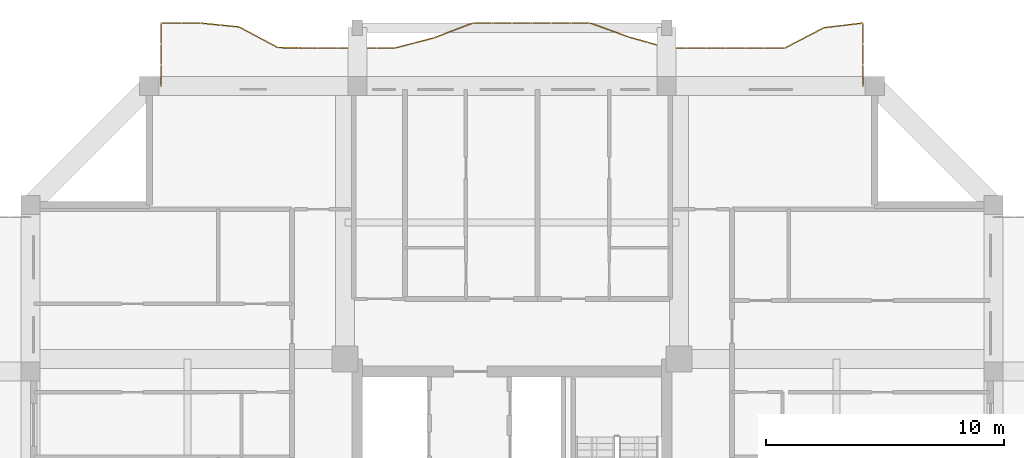
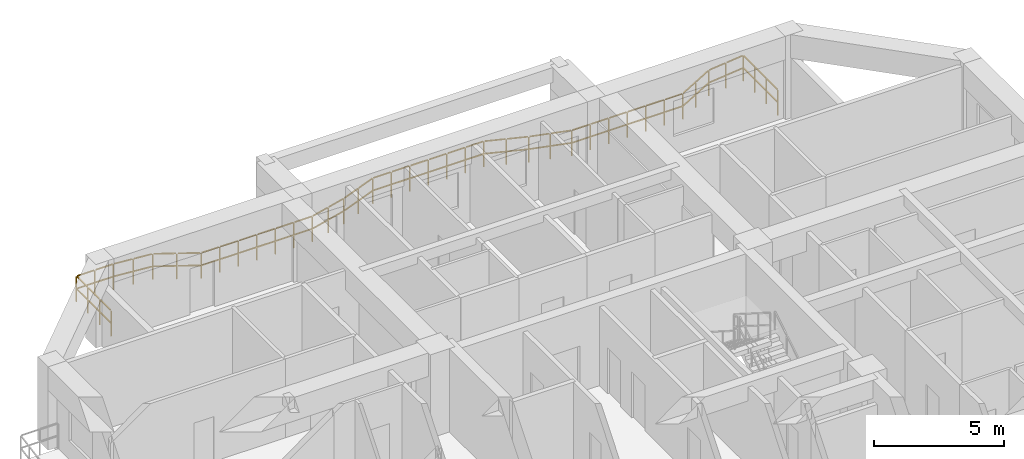
# One storey, part 13 of 13: 1 railing.
"""IFC4 building model written with IfcOpenShell, lengths in metres."""

import ifcopenshell
import ifcopenshell.guid

model = None  # the IFC model being written
_history = None  # IfcOwnerHistory: only IFC2X3 demands one
_inside = {}  # id of a spatial element -> (the spatial element, [elements in it])
_under = {}  # id of a project, library or spatial element -> (it, [spatial elements below it])
_declared = {}  # id of a project -> (the project, [libraries it declares])
_typed = {}  # id of a type object -> (the type object, [elements of that type])
_made_of = {}  # id of a material, layer set ... -> (it, [elements and type objects made of it])


def new_model(schema):
    """Start an empty IFC model of exactly this schema.

    Asked for "IFC4X3", IfcOpenShell would pick the latest addendum, in which some entities
    have other attributes; the version numbers below select the first issue.
    IFC2X3 requires an IfcOwnerHistory on every rooted entity: one is made here for all.
    """
    global model, _history
    if schema == "IFC4X3":
        model = ifcopenshell.file(schema_version=(4, 3, 0, 0))
    else:
        model = ifcopenshell.file(schema=schema)
    _inside.clear()
    _under.clear()
    _declared.clear()
    _typed.clear()
    _made_of.clear()
    _history = None
    if model.schema == "IFC2X3":
        org = make("IfcOrganization", Name="unknown")
        user = make(
            "IfcPersonAndOrganization",
            ThePerson=make("IfcPerson", FamilyName="unknown"),
            TheOrganization=org,
        )
        app = make(
            "IfcApplication",
            ApplicationDeveloper=org,
            Version="unknown",
            ApplicationFullName="unknown",
            ApplicationIdentifier="unknown",
        )
        _history = make(
            "IfcOwnerHistory",
            OwningUser=user,
            OwningApplication=app,
            ChangeAction="ADDED",
            CreationDate=0,
        )
    return model


def make(cls, **values):
    """One entity of the class cls with the attributes given. An attribute that is None is left unset."""
    return model.create_entity(
        cls, **{name: value for name, value in values.items() if value is not None}
    )


def rooted(cls, **values):
    """An entity with a GlobalId (a new one), such as an element, a storey or a relation."""
    return make(cls, GlobalId=ifcopenshell.guid.new(), OwnerHistory=_history, **values)


def si_unit(unit_type, name, prefix=None):
    """IfcSIUnit, for example si_unit("LENGTHUNIT", "METRE", prefix="MILLI")."""
    return make("IfcSIUnit", UnitType=unit_type, Prefix=prefix, Name=name)


def assignment(units):
    """IfcUnitAssignment: the units of a project."""
    return None if units is None else make("IfcUnitAssignment", Units=units)


def point(xyz):
    """IfcCartesianPoint."""
    return None if xyz is None else make("IfcCartesianPoint", Coordinates=xyz)


def direction(xyz):
    """IfcDirection."""
    return None if xyz is None else make("IfcDirection", DirectionRatios=xyz)


def frame(location, z_axis=None, x_axis=None):
    """IfcAxis2Placement3D, a coordinate frame: its origin and axes. An axis left out is left unset."""
    return make(
        "IfcAxis2Placement3D",
        Location=point(location),
        Axis=direction(z_axis),
        RefDirection=direction(x_axis),
    )


def frame_2d(location, x_axis=None):
    """IfcAxis2Placement2D, a coordinate frame in the plane: its origin and x axis."""
    return make(
        "IfcAxis2Placement2D", Location=point(location), RefDirection=direction(x_axis)
    )


def origin():
    """The frame at (0, 0, 0) with its axes left unset."""
    return frame((0.0, 0.0, 0.0))


def origin_2d():
    """The frame at (0, 0) in the plane with its x axis left unset."""
    return frame_2d((0.0, 0.0))


def place(relative_to, where):
    """IfcLocalPlacement: puts the frame where relative to a parent placement (None: the world)."""
    return make(
        "IfcLocalPlacement", PlacementRelTo=relative_to, RelativePlacement=where
    )


def context(
    kind, dimensions, precision=None, world=None, true_north=None, identifier=None
):
    """IfcGeometricRepresentationContext, for example the 3D "Model" context."""
    return make(
        "IfcGeometricRepresentationContext",
        ContextIdentifier=identifier,
        ContextType=kind,
        CoordinateSpaceDimension=dimensions,
        Precision=precision,
        WorldCoordinateSystem=world,
        TrueNorth=true_north,
    )


def subcontext(parent, identifier, kind, view, scale=None):
    """IfcGeometricRepresentationSubContext, for example "Body" below "Model"."""
    return make(
        "IfcGeometricRepresentationSubContext",
        ContextIdentifier=identifier,
        ContextType=kind,
        ParentContext=parent,
        TargetScale=scale,
        TargetView=view,
    )


def project(units=None, contexts=None):
    """IfcProject with its units and contexts."""
    return rooted(
        "IfcProject",
        Name="project",
        RepresentationContexts=contexts,
        UnitsInContext=assignment(units),
    )


def spatial(cls, under=None, at=None, **own):
    """A site, building, storey or space (cls), placed at a placement, below another one or the project."""
    s = rooted(cls, ObjectPlacement=at, **own)
    if under is not None:
        _under.setdefault(under.id(), (under, []))[1].append(s)
    return s


def profile(cls, at=None, kind="AREA", **sizes):
    """A parametric profile (cls). Its sizes go by their IFC names, for example OverallWidth=200.0."""
    return make(cls, ProfileType=kind, Position=at, **sizes)


def rectangle(**sizes):
    """IfcRectangleProfileDef."""
    return profile("IfcRectangleProfileDef", **sizes)


def extrude(swept, where, along, depth):
    """IfcExtrudedAreaSolid: the profile swept, set in the frame where, extruded along a direction by depth."""
    return make(
        "IfcExtrudedAreaSolid",
        SweptArea=swept,
        Position=where,
        ExtrudedDirection=direction(along),
        Depth=depth,
    )


def shape(context_of_items, identifier, shape_type, items):
    """IfcShapeRepresentation: the items that make up one representation, for example the "Body"."""
    return make(
        "IfcShapeRepresentation",
        ContextOfItems=context_of_items,
        RepresentationIdentifier=identifier,
        RepresentationType=shape_type,
        Items=items,
    )


def material(Name=None, Category=None):
    """IfcMaterial."""
    return make("IfcMaterial", Name=Name, Category=Category)


def made_of(thing, what):
    """Note that an element or type object is made of a material, layer set ...; save() writes the relation."""
    if what is not None:
        _made_of.setdefault(what.id(), (what, []))[1].append(thing)
    return thing


def type_object(cls, material=None, **own):
    """A type object (cls), such as IfcWallType, which elements share."""
    return made_of(rooted(cls, **own), material)


def element(
    cls,
    number,
    at=None,
    inside=None,
    cuts=None,
    type_object=None,
    material=None,
    context=None,
    identifier="Body",
    shape_type=None,
    held_by="IfcProductDefinitionShape",
    body=None,
    shapes=None,
    **own,
):
    """One element of the class cls, such as IfcWall. Its Tag is "e" and its number.

    at: its placement. inside: the storey or other place that contains it. cuts: it is an
    opening in that element (IfcRelVoidsElement). A single representation is given by context,
    identifier, shape_type and body (its items); several are given by shapes. held_by: the class
    of the entity that holds the representations. save() writes the other relations.
    """
    e = rooted(cls, Tag="e%d" % number, ObjectPlacement=at, **own)
    if body is not None:
        shapes = [shape(context, identifier, shape_type, body)]
    if shapes is not None:
        e.Representation = make(held_by, Representations=shapes)
    if inside is not None:
        _inside.setdefault(inside.id(), (inside, []))[1].append(e)
    if cuts is not None:
        rooted(
            "IfcRelVoidsElement", RelatingBuildingElement=cuts, RelatedOpeningElement=e
        )
    if type_object is not None:
        _typed.setdefault(type_object.id(), (type_object, []))[1].append(e)
    return made_of(e, material)


def aggregate(whole, parts):
    """IfcRelAggregates: a whole, such as a stair, and the parts it consists of."""
    return rooted("IfcRelAggregates", RelatingObject=whole, RelatedObjects=parts)


def save(model, path):
    """Write the relations noted so far, then the file.

    IfcRelAggregates (storeys below a building ...), IfcRelContainedInSpatialStructure (elements
    in a storey), IfcRelDefinesByType, IfcRelAssociatesMaterial and IfcRelDeclares: one each for
    every whole, place, type object, material and project.
    """
    for whole, parts in _under.values():
        aggregate(whole, parts)
    for where, things in _inside.values():
        rooted(
            "IfcRelContainedInSpatialStructure",
            RelatedElements=things,
            RelatingStructure=where,
        )
    for kind, things in _typed.values():
        rooted("IfcRelDefinesByType", RelatedObjects=things, RelatingType=kind)
    for what, things in _made_of.values():
        rooted("IfcRelAssociatesMaterial", RelatedObjects=things, RelatingMaterial=what)
    for by, libraries in _declared.values():
        rooted("IfcRelDeclares", RelatingContext=by, RelatedDefinitions=libraries)
    model.write(path)


model = new_model("IFC4")

# Units and contexts
model_context = context("Model", 3, precision=1e-05, world=origin(), true_north=direction((0.0, 1.0)))
body_context = subcontext(model_context, "Body", "Model", "MODEL_VIEW")
ifc_project = project(units=[si_unit("LENGTHUNIT", "METRE"), si_unit("AREAUNIT", "SQUARE_METRE"), si_unit("VOLUMEUNIT", "CUBIC_METRE"), si_unit("PLANEANGLEUNIT", "RADIAN"), si_unit("MASSUNIT", "GRAM", prefix="KILO")], contexts=[model_context])

# Site, building, storey
site_placement = place(None, origin())
site = spatial("IfcSite", under=ifc_project, at=site_placement, CompositionType="ELEMENT")
building_placement = place(site_placement, origin())
building = spatial("IfcBuilding", under=site, at=building_placement, Name="Saelheon Loggia Tower", CompositionType="ELEMENT")
storey_placement = place(building_placement, frame((0.0, 0.0, 172.89990234375)))
storey = spatial("IfcBuildingStorey", under=building, at=storey_placement, Name="L54", CompositionType="ELEMENT", Elevation=172.89990234375)

# Railing
ifc_material = material(Name="Architectural Precast Concrete and Laminated Glass Guard", Category="concrete")
railing_type = type_object("IfcRailingType", Name="Guard_Loggia_RL_LOG", PredefinedType="BALUSTRADE", material=ifc_material)
railing_placement = place(storey_placement, frame((52.75, 48.0, 0.0)))
element("IfcRailing", 1, at=railing_placement, inside=storey, type_object=railing_type, Name="L54 North Loggia Balustrade", PredefinedType="BALUSTRADE", context=body_context, shape_type="SweptSolid", body=[
    extrude(rectangle(XDim=0.048095703125, YDim=0.048095703125, at=origin_2d()), frame((0.0, 0.033203125, 1.19580078125), z_axis=(0.0, 1.0, 0.0), x_axis=(-1.0, 0.0, 0.0)), (0.0, 0.0, 1.0), 0.81689453125),
    extrude(rectangle(XDim=0.048095703125, YDim=0.048095703125, at=origin_2d()), frame((0.0, 0.033203125, 0.60986328125), z_axis=(0.0, 1.0, 0.0), x_axis=(-1.0, 0.0, 0.0)), (0.0, 0.0, 1.0), 0.81689453125),
    extrude(rectangle(XDim=0.048095703125, YDim=0.048095703125, at=origin_2d()), frame((0.0, 0.91650390625, 1.19580078125), z_axis=(0.0, 1.0, 0.0), x_axis=(-1.0, 0.0, 0.0)), (0.0, 0.0, 1.0), 0.81689453125),
    extrude(rectangle(XDim=0.048095703125, YDim=0.048095703125, at=origin_2d()), frame((0.0, 0.91650390625, 0.60986328125), z_axis=(0.0, 1.0, 0.0), x_axis=(-1.0, 0.0, 0.0)), (0.0, 0.0, 1.0), 0.81689453125),
    extrude(rectangle(XDim=0.048095703125, YDim=0.048095703125, at=origin_2d()), frame((0.0, 1.7998046875, 1.19580078125), z_axis=(0.0, 1.0, 0.0), x_axis=(-1.0, 0.0, 0.0)), (0.0, 0.0, 1.0), 0.81689453125),
    extrude(rectangle(XDim=0.048095703125, YDim=0.048095703125, at=origin_2d()), frame((0.0, 1.7998046875, 0.60986328125), z_axis=(0.0, 1.0, 0.0), x_axis=(-1.0, 0.0, 0.0)), (0.0, 0.0, 1.0), 0.81689453125),
    extrude(rectangle(XDim=0.048095703125, YDim=0.048095703125, at=origin_2d()), frame((-0.032958984375, 2.64599609375, 1.19580078125), z_axis=(-0.992816527573, -0.119646740773, 0.0), x_axis=(0.119646740773, -0.992816527573, 0.0)), (0.0, 0.0, 1.0), 0.759033203125),
    extrude(rectangle(XDim=0.048095703125, YDim=0.048095703125, at=origin_2d()), frame((-0.032958984375, 2.64599609375, 0.60986328125), z_axis=(-0.992816527573, -0.119646740773, 0.0), x_axis=(0.119646740773, -0.992816527573, 0.0)), (0.0, 0.0, 1.0), 0.759033203125),
    extrude(rectangle(XDim=0.048095703125, YDim=0.048095703125, at=origin_2d()), frame((-0.8525390625, 2.547119140625, 1.19580078125), z_axis=(-0.992816527573, -0.119646740773, 0.0), x_axis=(0.119646740773, -0.992816527573, 0.0)), (0.0, 0.0, 1.0), 0.759033203125),
    extrude(rectangle(XDim=0.048095703125, YDim=0.048095703125, at=origin_2d()), frame((-0.8525390625, 2.547119140625, 0.60986328125), z_axis=(-0.992816527573, -0.119646740773, 0.0), x_axis=(0.119646740773, -0.992816527573, 0.0)), (0.0, 0.0, 1.0), 0.759033203125),
    extrude(rectangle(XDim=0.048095703125, YDim=0.048095703125, at=origin_2d()), frame((-1.66845703125, 2.43701171875, 1.19580078125), z_axis=(-0.88720381771, -0.4613777041, 0.0), x_axis=(0.4613777041, -0.88720381771, 0.0)), (0.0, 0.0, 1.0), 0.857177734375),
    extrude(rectangle(XDim=0.048095703125, YDim=0.048095703125, at=origin_2d()), frame((-1.66845703125, 2.43701171875, 0.60986328125), z_axis=(-0.88720381771, -0.4613777041, 0.0), x_axis=(0.4613777041, -0.88720381771, 0.0)), (0.0, 0.0, 1.0), 0.857177734375),
    extrude(rectangle(XDim=0.048095703125, YDim=0.048095703125, at=origin_2d()), frame((-2.48779296875, 2.010986328125, 1.19580078125), z_axis=(-0.88720381771, -0.4613777041, 0.0), x_axis=(0.4613777041, -0.88720381771, 0.0)), (0.0, 0.0, 1.0), 0.857177734375),
    extrude(rectangle(XDim=0.048095703125, YDim=0.048095703125, at=origin_2d()), frame((-2.48779296875, 2.010986328125, 0.60986328125), z_axis=(-0.88720381771, -0.4613777041, 0.0), x_axis=(0.4613777041, -0.88720381771, 0.0)), (0.0, 0.0, 1.0), 0.857177734375),
    extrude(rectangle(XDim=0.048095703125, YDim=0.048095703125, at=origin_2d()), frame((-3.31103515625, 1.60009765625, 1.19580078125), z_axis=(-1.0, 0.0, 0.0), x_axis=(0.0, -1.0, 0.0)), (0.0, 0.0, 1.0), 0.7529296875),
    extrude(rectangle(XDim=0.048095703125, YDim=0.048095703125, at=origin_2d()), frame((-3.31103515625, 1.60009765625, 0.60986328125), z_axis=(-1.0, 0.0, 0.0), x_axis=(0.0, -1.0, 0.0)), (0.0, 0.0, 1.0), 0.7529296875),
    extrude(rectangle(XDim=0.048095703125, YDim=0.048095703125, at=origin_2d()), frame((-4.130615234375, 1.60009765625, 1.19580078125), z_axis=(-1.0, 0.0, 0.0), x_axis=(0.0, -1.0, 0.0)), (0.0, 0.0, 1.0), 0.7529296875),
    extrude(rectangle(XDim=0.048095703125, YDim=0.048095703125, at=origin_2d()), frame((-4.130615234375, 1.60009765625, 0.60986328125), z_axis=(-1.0, 0.0, 0.0), x_axis=(0.0, -1.0, 0.0)), (0.0, 0.0, 1.0), 0.7529296875),
    extrude(rectangle(XDim=0.048095703125, YDim=0.048095703125, at=origin_2d()), frame((-4.949951171875, 1.60009765625, 1.19580078125), z_axis=(-1.0, 0.0, 0.0), x_axis=(0.0, -1.0, 0.0)), (0.0, 0.0, 1.0), 0.7529296875),
    extrude(rectangle(XDim=0.048095703125, YDim=0.048095703125, at=origin_2d()), frame((-4.949951171875, 1.60009765625, 0.60986328125), z_axis=(-1.0, 0.0, 0.0), x_axis=(0.0, -1.0, 0.0)), (0.0, 0.0, 1.0), 0.7529296875),
    extrude(rectangle(XDim=0.048095703125, YDim=0.048095703125, at=origin_2d()), frame((-5.76953125, 1.60009765625, 1.19580078125), z_axis=(-1.0, 0.0, 0.0), x_axis=(0.0, -1.0, 0.0)), (0.0, 0.0, 1.0), 0.7529296875),
    extrude(rectangle(XDim=0.048095703125, YDim=0.048095703125, at=origin_2d()), frame((-5.76953125, 1.60009765625, 0.60986328125), z_axis=(-1.0, 0.0, 0.0), x_axis=(0.0, -1.0, 0.0)), (0.0, 0.0, 1.0), 0.7529296875),
    extrude(rectangle(XDim=0.048095703125, YDim=0.048095703125, at=origin_2d()), frame((-6.5888671875, 1.60009765625, 1.19580078125), z_axis=(-1.0, 0.0, 0.0), x_axis=(0.0, -1.0, 0.0)), (0.0, 0.0, 1.0), 0.7529296875),
    extrude(rectangle(XDim=0.048095703125, YDim=0.048095703125, at=origin_2d()), frame((-6.5888671875, 1.60009765625, 0.60986328125), z_axis=(-1.0, 0.0, 0.0), x_axis=(0.0, -1.0, 0.0)), (0.0, 0.0, 1.0), 0.7529296875),
    extrude(rectangle(XDim=0.048095703125, YDim=0.048095703125, at=origin_2d()), frame((-7.408203125, 1.60009765625, 1.19580078125), z_axis=(-1.0, 0.0, 0.0), x_axis=(0.0, -1.0, 0.0)), (0.0, 0.0, 1.0), 0.7529296875),
    extrude(rectangle(XDim=0.048095703125, YDim=0.048095703125, at=origin_2d()), frame((-7.408203125, 1.60009765625, 0.60986328125), z_axis=(-1.0, 0.0, 0.0), x_axis=(0.0, -1.0, 0.0)), (0.0, 0.0, 1.0), 0.7529296875),
    extrude(rectangle(XDim=0.048095703125, YDim=0.048095703125, at=origin_2d()), frame((-8.226318359375, 1.609130859375, 1.19580078125), z_axis=(-0.96291335177, 0.269810817024, 0.0), x_axis=(-0.269810817024, -0.96291335177, 0.0)), (0.0, 0.0, 1.0), 0.78466796875),
    extrude(rectangle(XDim=0.048095703125, YDim=0.048095703125, at=origin_2d()), frame((-8.226318359375, 1.609130859375, 0.60986328125), z_axis=(-0.96291335177, 0.269810817024, 0.0), x_axis=(-0.269810817024, -0.96291335177, 0.0)), (0.0, 0.0, 1.0), 0.78466796875),
    extrude(rectangle(XDim=0.048095703125, YDim=0.048095703125, at=origin_2d()), frame((-9.0458984375, 1.838623046875, 1.19580078125), z_axis=(-0.96291335177, 0.269810817024, 0.0), x_axis=(-0.269810817024, -0.96291335177, 0.0)), (0.0, 0.0, 1.0), 0.78466796875),
    extrude(rectangle(XDim=0.048095703125, YDim=0.048095703125, at=origin_2d()), frame((-9.0458984375, 1.838623046875, 0.60986328125), z_axis=(-0.96291335177, 0.269810817024, 0.0), x_axis=(-0.269810817024, -0.96291335177, 0.0)), (0.0, 0.0, 1.0), 0.78466796875),
    extrude(rectangle(XDim=0.048095703125, YDim=0.048095703125, at=origin_2d()), frame((-9.864501953125, 2.070556640625, 1.19580078125), z_axis=(-0.940783748947, 0.339007282691, 0.0), x_axis=(-0.339007282691, -0.940783748947, 0.0)), (0.0, 0.0, 1.0), 0.8046875),
    extrude(rectangle(XDim=0.048095703125, YDim=0.048095703125, at=origin_2d()), frame((-9.864501953125, 2.070556640625, 0.60986328125), z_axis=(-0.940783748947, 0.339007282691, 0.0), x_axis=(-0.339007282691, -0.940783748947, 0.0)), (0.0, 0.0, 1.0), 0.8046875),
    extrude(rectangle(XDim=0.048095703125, YDim=0.048095703125, at=origin_2d()), frame((-10.68408203125, 2.365966796875, 1.19580078125), z_axis=(-0.940783748947, 0.339007282691, 0.0), x_axis=(-0.339007282691, -0.940783748947, 0.0)), (0.0, 0.0, 1.0), 0.8046875),
    extrude(rectangle(XDim=0.048095703125, YDim=0.048095703125, at=origin_2d()), frame((-10.68408203125, 2.365966796875, 0.60986328125), z_axis=(-0.940783748947, 0.339007282691, 0.0), x_axis=(-0.339007282691, -0.940783748947, 0.0)), (0.0, 0.0, 1.0), 0.8046875),
    extrude(rectangle(XDim=0.048095703125, YDim=0.048095703125, at=origin_2d()), frame((-11.50537109375, 2.64990234375, 1.19580078125), z_axis=(-1.0, 0.0, 0.0), x_axis=(0.0, -1.0, 0.0)), (0.0, 0.0, 1.0), 0.7529296875),
    extrude(rectangle(XDim=0.048095703125, YDim=0.048095703125, at=origin_2d()), frame((-11.50537109375, 2.64990234375, 0.60986328125), z_axis=(-1.0, 0.0, 0.0), x_axis=(0.0, -1.0, 0.0)), (0.0, 0.0, 1.0), 0.7529296875),
    extrude(rectangle(XDim=0.048095703125, YDim=0.048095703125, at=origin_2d()), frame((-12.324951171875, 2.64990234375, 1.19580078125), z_axis=(-1.0, 0.0, 0.0), x_axis=(0.0, -1.0, 0.0)), (0.0, 0.0, 1.0), 0.7529296875),
    extrude(rectangle(XDim=0.048095703125, YDim=0.048095703125, at=origin_2d()), frame((-12.324951171875, 2.64990234375, 0.60986328125), z_axis=(-1.0, 0.0, 0.0), x_axis=(0.0, -1.0, 0.0)), (0.0, 0.0, 1.0), 0.7529296875),
    extrude(rectangle(XDim=0.048095703125, YDim=0.048095703125, at=origin_2d()), frame((-13.144287109375, 2.64990234375, 1.19580078125), z_axis=(-1.0, 0.0, 0.0), x_axis=(0.0, -1.0, 0.0)), (0.0, 0.0, 1.0), 0.7529296875),
    extrude(rectangle(XDim=0.048095703125, YDim=0.048095703125, at=origin_2d()), frame((-13.144287109375, 2.64990234375, 0.60986328125), z_axis=(-1.0, 0.0, 0.0), x_axis=(0.0, -1.0, 0.0)), (0.0, 0.0, 1.0), 0.7529296875),
    extrude(rectangle(XDim=0.048095703125, YDim=0.048095703125, at=origin_2d()), frame((-13.9638671875, 2.64990234375, 1.19580078125), z_axis=(-1.0, 0.0, 0.0), x_axis=(0.0, -1.0, 0.0)), (0.0, 0.0, 1.0), 0.7529296875),
    extrude(rectangle(XDim=0.048095703125, YDim=0.048095703125, at=origin_2d()), frame((-13.9638671875, 2.64990234375, 0.60986328125), z_axis=(-1.0, 0.0, 0.0), x_axis=(0.0, -1.0, 0.0)), (0.0, 0.0, 1.0), 0.7529296875),
    extrude(rectangle(XDim=0.048095703125, YDim=0.048095703125, at=origin_2d()), frame((-14.783203125, 2.64990234375, 1.19580078125), z_axis=(-1.0, 0.0, 0.0), x_axis=(0.0, -1.0, 0.0)), (0.0, 0.0, 1.0), 0.7529296875),
    extrude(rectangle(XDim=0.048095703125, YDim=0.048095703125, at=origin_2d()), frame((-14.783203125, 2.64990234375, 0.60986328125), z_axis=(-1.0, 0.0, 0.0), x_axis=(0.0, -1.0, 0.0)), (0.0, 0.0, 1.0), 0.7529296875),
    extrude(rectangle(XDim=0.048095703125, YDim=0.048095703125, at=origin_2d()), frame((-15.602783203125, 2.64990234375, 1.19580078125), z_axis=(-1.0, 0.0, 0.0), x_axis=(0.0, -1.0, 0.0)), (0.0, 0.0, 1.0), 0.7529296875),
    extrude(rectangle(XDim=0.048095703125, YDim=0.048095703125, at=origin_2d()), frame((-15.602783203125, 2.64990234375, 0.60986328125), z_axis=(-1.0, 0.0, 0.0), x_axis=(0.0, -1.0, 0.0)), (0.0, 0.0, 1.0), 0.7529296875),
    extrude(rectangle(XDim=0.048095703125, YDim=0.048095703125, at=origin_2d()), frame((-16.419921875, 2.63818359375, 1.19580078125), z_axis=(-0.934642039231, -0.355590014628, 0.0), x_axis=(0.355590014628, -0.934642039231, 0.0)), (0.0, 0.0, 1.0), 0.810302734375),
    extrude(rectangle(XDim=0.048095703125, YDim=0.048095703125, at=origin_2d()), frame((-16.419921875, 2.63818359375, 0.60986328125), z_axis=(-0.934642039231, -0.355590014628, 0.0), x_axis=(0.355590014628, -0.934642039231, 0.0)), (0.0, 0.0, 1.0), 0.810302734375),
    extrude(rectangle(XDim=0.048095703125, YDim=0.048095703125, at=origin_2d()), frame((-17.239501953125, 2.326416015625, 1.19580078125), z_axis=(-0.934642039231, -0.355590014628, 0.0), x_axis=(0.355590014628, -0.934642039231, 0.0)), (0.0, 0.0, 1.0), 0.810302734375),
    extrude(rectangle(XDim=0.048095703125, YDim=0.048095703125, at=origin_2d()), frame((-17.239501953125, 2.326416015625, 0.60986328125), z_axis=(-0.934642039231, -0.355590014628, 0.0), x_axis=(0.355590014628, -0.934642039231, 0.0)), (0.0, 0.0, 1.0), 0.810302734375),
    extrude(rectangle(XDim=0.048095703125, YDim=0.048095703125, at=origin_2d()), frame((-18.06005859375, 2.01806640625, 1.19580078125), z_axis=(-0.967800734804, -0.251717575297, 0.0), x_axis=(0.251717575297, -0.967800734804, 0.0)), (0.0, 0.0, 1.0), 0.7802734375),
    extrude(rectangle(XDim=0.048095703125, YDim=0.048095703125, at=origin_2d()), frame((-18.06005859375, 2.01806640625, 0.60986328125), z_axis=(-0.967800734804, -0.251717575297, 0.0), x_axis=(0.251717575297, -0.967800734804, 0.0)), (0.0, 0.0, 1.0), 0.7802734375),
    extrude(rectangle(XDim=0.048095703125, YDim=0.048095703125, at=origin_2d()), frame((-18.87939453125, 1.804931640625, 1.19580078125), z_axis=(-0.967800734804, -0.251717575297, 0.0), x_axis=(0.251717575297, -0.967800734804, 0.0)), (0.0, 0.0, 1.0), 0.7802734375),
    extrude(rectangle(XDim=0.048095703125, YDim=0.048095703125, at=origin_2d()), frame((-18.87939453125, 1.804931640625, 0.60986328125), z_axis=(-0.967800734804, -0.251717575297, 0.0), x_axis=(0.251717575297, -0.967800734804, 0.0)), (0.0, 0.0, 1.0), 0.7802734375),
    extrude(rectangle(XDim=0.048095703125, YDim=0.048095703125, at=origin_2d()), frame((-19.699951171875, 1.60009765625, 1.19580078125), z_axis=(-1.0, 0.0, 0.0), x_axis=(0.0, -1.0, 0.0)), (0.0, 0.0, 1.0), 0.7529296875),
    extrude(rectangle(XDim=0.048095703125, YDim=0.048095703125, at=origin_2d()), frame((-19.699951171875, 1.60009765625, 0.60986328125), z_axis=(-1.0, 0.0, 0.0), x_axis=(0.0, -1.0, 0.0)), (0.0, 0.0, 1.0), 0.7529296875),
    extrude(rectangle(XDim=0.048095703125, YDim=0.048095703125, at=origin_2d()), frame((-20.51953125, 1.60009765625, 1.19580078125), z_axis=(-1.0, 0.0, 0.0), x_axis=(0.0, -1.0, 0.0)), (0.0, 0.0, 1.0), 0.7529296875),
    extrude(rectangle(XDim=0.048095703125, YDim=0.048095703125, at=origin_2d()), frame((-20.51953125, 1.60009765625, 0.60986328125), z_axis=(-1.0, 0.0, 0.0), x_axis=(0.0, -1.0, 0.0)), (0.0, 0.0, 1.0), 0.7529296875),
    extrude(rectangle(XDim=0.048095703125, YDim=0.048095703125, at=origin_2d()), frame((-21.3388671875, 1.60009765625, 1.19580078125), z_axis=(-1.0, 0.0, 0.0), x_axis=(0.0, -1.0, 0.0)), (0.0, 0.0, 1.0), 0.7529296875),
    extrude(rectangle(XDim=0.048095703125, YDim=0.048095703125, at=origin_2d()), frame((-21.3388671875, 1.60009765625, 0.60986328125), z_axis=(-1.0, 0.0, 0.0), x_axis=(0.0, -1.0, 0.0)), (0.0, 0.0, 1.0), 0.7529296875),
    extrude(rectangle(XDim=0.048095703125, YDim=0.048095703125, at=origin_2d()), frame((-22.158203125, 1.60009765625, 1.19580078125), z_axis=(-1.0, 0.0, 0.0), x_axis=(0.0, -1.0, 0.0)), (0.0, 0.0, 1.0), 0.7529296875),
    extrude(rectangle(XDim=0.048095703125, YDim=0.048095703125, at=origin_2d()), frame((-22.158203125, 1.60009765625, 0.60986328125), z_axis=(-1.0, 0.0, 0.0), x_axis=(0.0, -1.0, 0.0)), (0.0, 0.0, 1.0), 0.7529296875),
    extrude(rectangle(XDim=0.048095703125, YDim=0.048095703125, at=origin_2d()), frame((-22.9775390625, 1.600341796875, 1.19580078125), z_axis=(-0.999971142529, 0.007596980228, 0.0), x_axis=(-0.007596980228, -0.999971142529, 0.0)), (0.0, 0.0, 1.0), 0.7529296875),
    extrude(rectangle(XDim=0.048095703125, YDim=0.048095703125, at=origin_2d()), frame((-22.9775390625, 1.600341796875, 0.60986328125), z_axis=(-0.999971142529, 0.007596980228, 0.0), x_axis=(-0.007596980228, -0.999971142529, 0.0)), (0.0, 0.0, 1.0), 0.7529296875),
    extrude(rectangle(XDim=0.048095703125, YDim=0.048095703125, at=origin_2d()), frame((-23.797119140625, 1.606689453125, 1.19580078125), z_axis=(-0.999971142529, 0.007596980228, 0.0), x_axis=(-0.007596980228, -0.999971142529, 0.0)), (0.0, 0.0, 1.0), 0.7529296875),
    extrude(rectangle(XDim=0.048095703125, YDim=0.048095703125, at=origin_2d()), frame((-23.797119140625, 1.606689453125, 0.60986328125), z_axis=(-0.999971142529, 0.007596980228, 0.0), x_axis=(-0.007596980228, -0.999971142529, 0.0)), (0.0, 0.0, 1.0), 0.7529296875),
    extrude(rectangle(XDim=0.048095703125, YDim=0.048095703125, at=origin_2d()), frame((-24.612548828125, 1.628173828125, 1.19580078125), z_axis=(-0.882749398099, 0.469844123254, 0.0), x_axis=(-0.469844123254, -0.882749398099, 0.0)), (0.0, 0.0, 1.0), 0.86181640625),
    extrude(rectangle(XDim=0.048095703125, YDim=0.048095703125, at=origin_2d()), frame((-24.612548828125, 1.628173828125, 0.60986328125), z_axis=(-0.882749398099, 0.469844123254, 0.0), x_axis=(-0.469844123254, -0.882749398099, 0.0)), (0.0, 0.0, 1.0), 0.86181640625),
    extrude(rectangle(XDim=0.048095703125, YDim=0.048095703125, at=origin_2d()), frame((-25.43212890625, 2.064208984375, 1.19580078125), z_axis=(-0.882749398099, 0.469844123254, 0.0), x_axis=(-0.469844123254, -0.882749398099, 0.0)), (0.0, 0.0, 1.0), 0.86181640625),
    extrude(rectangle(XDim=0.048095703125, YDim=0.048095703125, at=origin_2d()), frame((-25.43212890625, 2.064208984375, 0.60986328125), z_axis=(-0.882749398099, 0.469844123254, 0.0), x_axis=(-0.469844123254, -0.882749398099, 0.0)), (0.0, 0.0, 1.0), 0.86181640625),
    extrude(rectangle(XDim=0.048095703125, YDim=0.048095703125, at=origin_2d()), frame((-26.255126953125, 2.48828125, 1.19580078125), z_axis=(-0.994967979787, 0.100193408958, 0.0), x_axis=(-0.100193408958, -0.994967979787, 0.0)), (0.0, 0.0, 1.0), 0.757080078125),
    extrude(rectangle(XDim=0.048095703125, YDim=0.048095703125, at=origin_2d()), frame((-26.255126953125, 2.48828125, 0.60986328125), z_axis=(-0.994967979787, 0.100193408958, 0.0), x_axis=(-0.100193408958, -0.994967979787, 0.0)), (0.0, 0.0, 1.0), 0.757080078125),
    extrude(rectangle(XDim=0.048095703125, YDim=0.048095703125, at=origin_2d()), frame((-27.07470703125, 2.57080078125, 1.19580078125), z_axis=(-0.994967979787, 0.100193408958, 0.0), x_axis=(-0.100193408958, -0.994967979787, 0.0)), (0.0, 0.0, 1.0), 0.757080078125),
    extrude(rectangle(XDim=0.048095703125, YDim=0.048095703125, at=origin_2d()), frame((-27.07470703125, 2.57080078125, 0.60986328125), z_axis=(-0.994967979787, 0.100193408958, 0.0), x_axis=(-0.100193408958, -0.994967979787, 0.0)), (0.0, 0.0, 1.0), 0.757080078125),
    extrude(rectangle(XDim=0.048095703125, YDim=0.048095703125, at=origin_2d()), frame((-27.894287109375, 2.64990234375, 1.19580078125), z_axis=(-1.0, 0.0, 0.0), x_axis=(0.0, -1.0, 0.0)), (0.0, 0.0, 1.0), 0.7529296875),
    extrude(rectangle(XDim=0.048095703125, YDim=0.048095703125, at=origin_2d()), frame((-27.894287109375, 2.64990234375, 0.60986328125), z_axis=(-1.0, 0.0, 0.0), x_axis=(0.0, -1.0, 0.0)), (0.0, 0.0, 1.0), 0.7529296875),
    extrude(rectangle(XDim=0.048095703125, YDim=0.048095703125, at=origin_2d()), frame((-28.7138671875, 2.64990234375, 1.19580078125), z_axis=(-1.0, 0.0, 0.0), x_axis=(0.0, -1.0, 0.0)), (0.0, 0.0, 1.0), 0.7529296875),
    extrude(rectangle(XDim=0.048095703125, YDim=0.048095703125, at=origin_2d()), frame((-28.7138671875, 2.64990234375, 0.60986328125), z_axis=(-1.0, 0.0, 0.0), x_axis=(0.0, -1.0, 0.0)), (0.0, 0.0, 1.0), 0.7529296875),
    extrude(rectangle(XDim=0.048095703125, YDim=0.048095703125, at=origin_2d()), frame((-29.5, 2.61669921875, 1.19580078125), z_axis=(0.0, -1.0, 0.0), x_axis=(1.0, 0.0, 0.0)), (0.0, 0.0, 1.0), 0.81689453125),
    extrude(rectangle(XDim=0.048095703125, YDim=0.048095703125, at=origin_2d()), frame((-29.5, 2.61669921875, 0.60986328125), z_axis=(0.0, -1.0, 0.0), x_axis=(1.0, 0.0, 0.0)), (0.0, 0.0, 1.0), 0.81689453125),
    extrude(rectangle(XDim=0.048095703125, YDim=0.048095703125, at=origin_2d()), frame((-29.5, 1.7333984375, 1.19580078125), z_axis=(0.0, -1.0, 0.0), x_axis=(1.0, 0.0, 0.0)), (0.0, 0.0, 1.0), 0.81689453125),
    extrude(rectangle(XDim=0.048095703125, YDim=0.048095703125, at=origin_2d()), frame((-29.5, 1.7333984375, 0.60986328125), z_axis=(0.0, -1.0, 0.0), x_axis=(1.0, 0.0, 0.0)), (0.0, 0.0, 1.0), 0.81689453125),
    extrude(rectangle(XDim=0.048095703125, YDim=0.048095703125, at=origin_2d()), frame((-29.5, 0.85009765625, 1.19580078125), z_axis=(0.0, -1.0, 0.0), x_axis=(1.0, 0.0, 0.0)), (0.0, 0.0, 1.0), 0.81689453125),
    extrude(rectangle(XDim=0.048095703125, YDim=0.048095703125, at=origin_2d()), frame((-29.5, 0.85009765625, 0.60986328125), z_axis=(0.0, -1.0, 0.0), x_axis=(1.0, 0.0, 0.0)), (0.0, 0.0, 1.0), 0.81689453125),
    extrude(rectangle(XDim=0.0419921875, YDim=0.0419921875, at=origin_2d()), origin(), (0.0, 0.0, 1.0), 1.16796875),
    extrude(rectangle(XDim=0.0419921875, YDim=0.0419921875, at=origin_2d()), frame((0.0, 0.88330078125, 0.0)), (0.0, 0.0, 1.0), 1.16796875),
    extrude(rectangle(XDim=0.0419921875, YDim=0.0419921875, at=origin_2d()), frame((0.0, 1.7666015625, 0.0)), (0.0, 0.0, 1.0), 1.16796875),
    extrude(rectangle(XDim=0.0419921875, YDim=0.0419921875, at=origin_2d()), frame((0.0, 2.64990234375, 0.0)), (0.0, 0.0, 1.0), 1.16796875),
    extrude(rectangle(XDim=0.0419921875, YDim=0.0419921875, at=origin_2d()), frame((-0.8193359375, 2.55126953125, 0.0)), (0.0, 0.0, 1.0), 1.16796875),
    extrude(rectangle(XDim=0.0419921875, YDim=0.0419921875, at=origin_2d()), frame((-1.638916015625, 2.452392578125, 0.0)), (0.0, 0.0, 1.0), 1.16796875),
    extrude(rectangle(XDim=0.0419921875, YDim=0.0419921875, at=origin_2d()), frame((-2.45849609375, 2.0263671875, 0.0)), (0.0, 0.0, 1.0), 1.16796875),
    extrude(rectangle(XDim=0.0419921875, YDim=0.0419921875, at=origin_2d()), frame((-3.27783203125, 1.60009765625, 0.0)), (0.0, 0.0, 1.0), 1.16796875),
    extrude(rectangle(XDim=0.0419921875, YDim=0.0419921875, at=origin_2d()), frame((-4.09716796875, 1.60009765625, 0.0)), (0.0, 0.0, 1.0), 1.16796875),
    extrude(rectangle(XDim=0.0419921875, YDim=0.0419921875, at=origin_2d()), frame((-4.916748046875, 1.60009765625, 0.0)), (0.0, 0.0, 1.0), 1.16796875),
    extrude(rectangle(XDim=0.0419921875, YDim=0.0419921875, at=origin_2d()), frame((-5.736328125, 1.60009765625, 0.0)), (0.0, 0.0, 1.0), 1.16796875),
    extrude(rectangle(XDim=0.0419921875, YDim=0.0419921875, at=origin_2d()), frame((-6.5556640625, 1.60009765625, 0.0)), (0.0, 0.0, 1.0), 1.16796875),
    extrude(rectangle(XDim=0.0419921875, YDim=0.0419921875, at=origin_2d()), frame((-7.375, 1.60009765625, 0.0)), (0.0, 0.0, 1.0), 1.16796875),
    extrude(rectangle(XDim=0.0419921875, YDim=0.0419921875, at=origin_2d()), frame((-8.1943359375, 1.60009765625, 0.0)), (0.0, 0.0, 1.0), 1.16796875),
    extrude(rectangle(XDim=0.0419921875, YDim=0.0419921875, at=origin_2d()), frame((-9.013671875, 1.82958984375, 0.0)), (0.0, 0.0, 1.0), 1.16796875),
    extrude(rectangle(XDim=0.0419921875, YDim=0.0419921875, at=origin_2d()), frame((-9.833251953125, 2.059326171875, 0.0)), (0.0, 0.0, 1.0), 1.16796875),
    extrude(rectangle(XDim=0.0419921875, YDim=0.0419921875, at=origin_2d()), frame((-10.65283203125, 2.3544921875, 0.0)), (0.0, 0.0, 1.0), 1.16796875),
    extrude(rectangle(XDim=0.0419921875, YDim=0.0419921875, at=origin_2d()), frame((-11.47216796875, 2.64990234375, 0.0)), (0.0, 0.0, 1.0), 1.16796875),
    extrude(rectangle(XDim=0.0419921875, YDim=0.0419921875, at=origin_2d()), frame((-12.29150390625, 2.64990234375, 0.0)), (0.0, 0.0, 1.0), 1.16796875),
    extrude(rectangle(XDim=0.0419921875, YDim=0.0419921875, at=origin_2d()), frame((-13.111083984375, 2.64990234375, 0.0)), (0.0, 0.0, 1.0), 1.16796875),
    extrude(rectangle(XDim=0.0419921875, YDim=0.0419921875, at=origin_2d()), frame((-13.9306640625, 2.64990234375, 0.0)), (0.0, 0.0, 1.0), 1.16796875),
    extrude(rectangle(XDim=0.0419921875, YDim=0.0419921875, at=origin_2d()), frame((-14.75, 2.64990234375, 0.0)), (0.0, 0.0, 1.0), 1.16796875),
    extrude(rectangle(XDim=0.0419921875, YDim=0.0419921875, at=origin_2d()), frame((-15.5693359375, 2.64990234375, 0.0)), (0.0, 0.0, 1.0), 1.16796875),
    extrude(rectangle(XDim=0.0419921875, YDim=0.0419921875, at=origin_2d()), frame((-16.388916015625, 2.64990234375, 0.0)), (0.0, 0.0, 1.0), 1.16796875),
    extrude(rectangle(XDim=0.0419921875, YDim=0.0419921875, at=origin_2d()), frame((-17.20849609375, 2.338134765625, 0.0)), (0.0, 0.0, 1.0), 1.16796875),
    extrude(rectangle(XDim=0.0419921875, YDim=0.0419921875, at=origin_2d()), frame((-18.02783203125, 2.0263671875, 0.0)), (0.0, 0.0, 1.0), 1.16796875),
    extrude(rectangle(XDim=0.0419921875, YDim=0.0419921875, at=origin_2d()), frame((-18.84716796875, 1.813232421875, 0.0)), (0.0, 0.0, 1.0), 1.16796875),
    extrude(rectangle(XDim=0.0419921875, YDim=0.0419921875, at=origin_2d()), frame((-19.666748046875, 1.60009765625, 0.0)), (0.0, 0.0, 1.0), 1.16796875),
    extrude(rectangle(XDim=0.0419921875, YDim=0.0419921875, at=origin_2d()), frame((-20.486328125, 1.60009765625, 0.0)), (0.0, 0.0, 1.0), 1.16796875),
    extrude(rectangle(XDim=0.0419921875, YDim=0.0419921875, at=origin_2d()), frame((-21.3056640625, 1.60009765625, 0.0)), (0.0, 0.0, 1.0), 1.16796875),
    extrude(rectangle(XDim=0.0419921875, YDim=0.0419921875, at=origin_2d()), frame((-22.125, 1.60009765625, 0.0)), (0.0, 0.0, 1.0), 1.16796875),
    extrude(rectangle(XDim=0.0419921875, YDim=0.0419921875, at=origin_2d()), frame((-22.9443359375, 1.60009765625, 0.0)), (0.0, 0.0, 1.0), 1.16796875),
    extrude(rectangle(XDim=0.0419921875, YDim=0.0419921875, at=origin_2d()), frame((-23.763671875, 1.6064453125, 0.0)), (0.0, 0.0, 1.0), 1.16796875),
    extrude(rectangle(XDim=0.0419921875, YDim=0.0419921875, at=origin_2d()), frame((-24.583251953125, 1.612548828125, 0.0)), (0.0, 0.0, 1.0), 1.16796875),
    extrude(rectangle(XDim=0.0419921875, YDim=0.0419921875, at=origin_2d()), frame((-25.40283203125, 2.048828125, 0.0)), (0.0, 0.0, 1.0), 1.16796875),
    extrude(rectangle(XDim=0.0419921875, YDim=0.0419921875, at=origin_2d()), frame((-26.22216796875, 2.48486328125, 0.0)), (0.0, 0.0, 1.0), 1.16796875),
    extrude(rectangle(XDim=0.0419921875, YDim=0.0419921875, at=origin_2d()), frame((-27.04150390625, 2.5673828125, 0.0)), (0.0, 0.0, 1.0), 1.16796875),
    extrude(rectangle(XDim=0.0419921875, YDim=0.0419921875, at=origin_2d()), frame((-27.861083984375, 2.64990234375, 0.0)), (0.0, 0.0, 1.0), 1.16796875),
    extrude(rectangle(XDim=0.0419921875, YDim=0.0419921875, at=origin_2d()), frame((-28.6806640625, 2.64990234375, 0.0)), (0.0, 0.0, 1.0), 1.16796875),
    extrude(rectangle(XDim=0.0419921875, YDim=0.0419921875, at=origin_2d()), frame((-29.5, 2.64990234375, 0.0)), (0.0, 0.0, 1.0), 1.16796875),
    extrude(rectangle(XDim=0.0419921875, YDim=0.0419921875, at=origin_2d()), frame((-29.5, 1.7666015625, 0.0)), (0.0, 0.0, 1.0), 1.16796875),
    extrude(rectangle(XDim=0.0419921875, YDim=0.0419921875, at=origin_2d()), frame((-29.5, 0.88330078125, 0.0)), (0.0, 0.0, 1.0), 1.16796875),
    extrude(rectangle(XDim=0.0419921875, YDim=0.0419921875, at=origin_2d()), frame((-29.5, 0.0, 0.0)), (0.0, 0.0, 1.0), 1.16796875),
])

save(model, "model.ifc")
